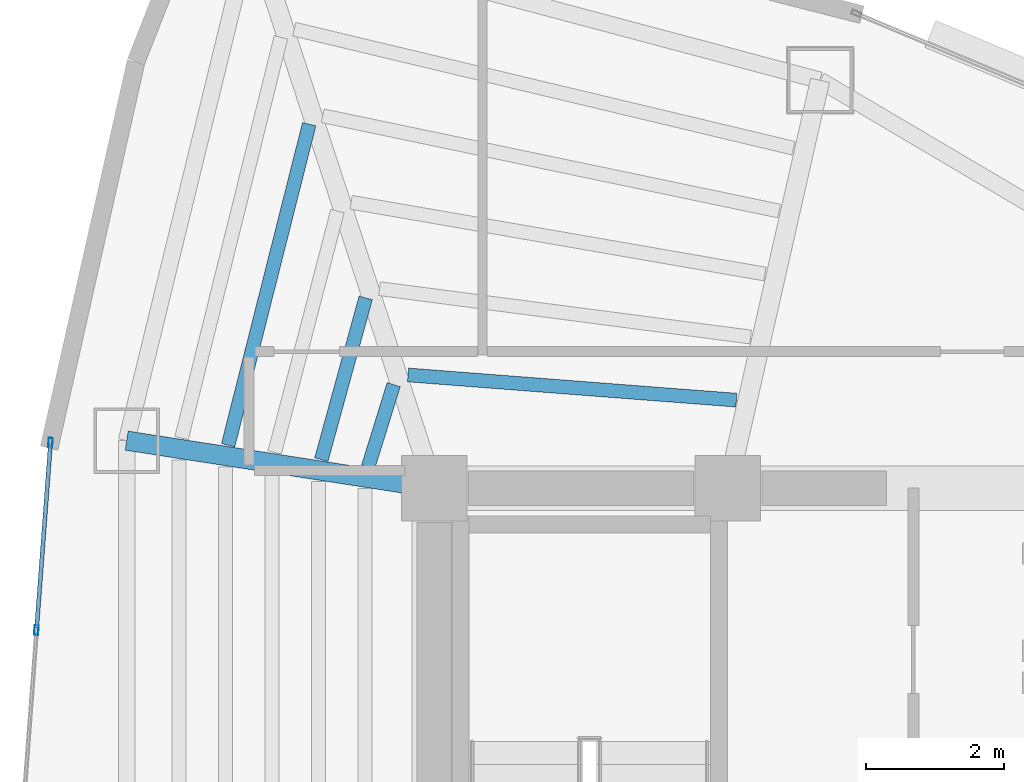
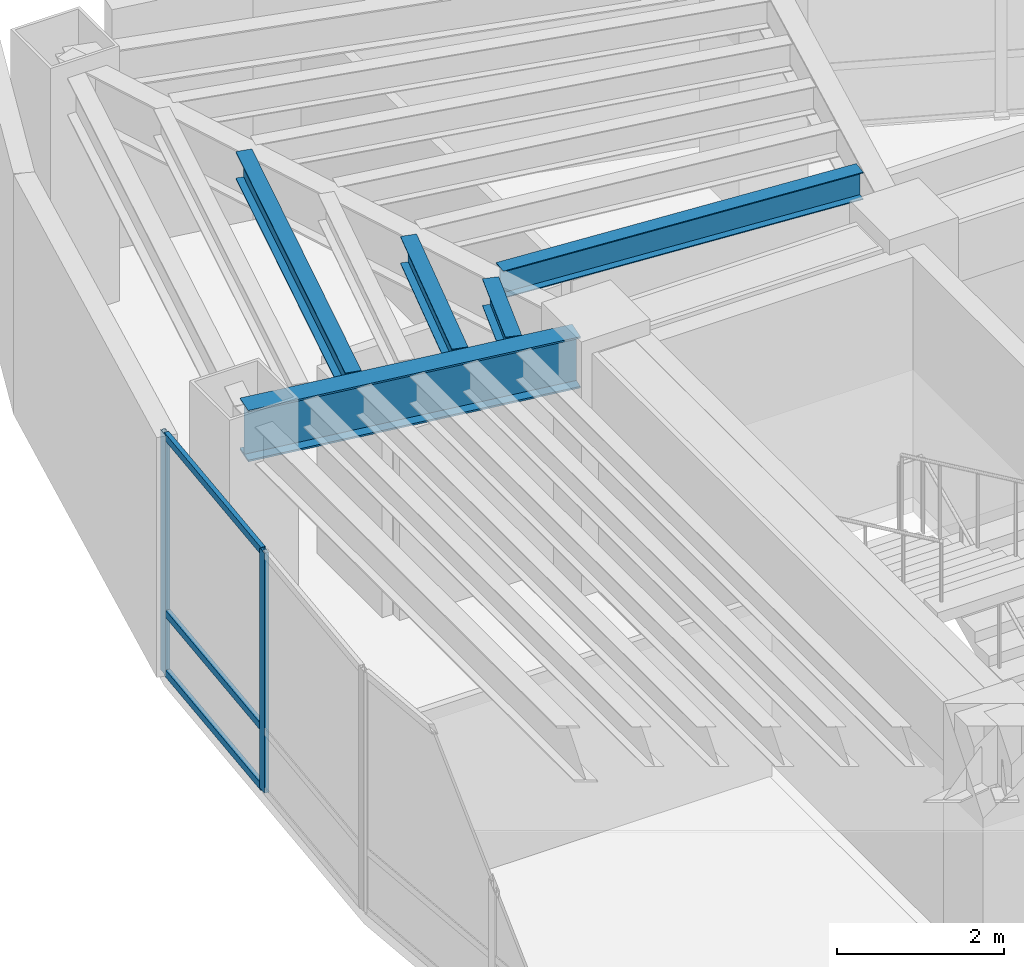
# One storey, part 7 of 15: 5 beams, 5 members, 1 element without a shape of its own.
"""IFC4 building model written with IfcOpenShell, lengths in metres."""

from ifc_helpers import new_model, si_unit, direction, frame, origin, origin_2d, place, context, subcontext, project, spatial, hollow_rectangle, i_section, extrude, material, layer, layer_set, material_profile, profile_set, type_object, element, aggregate, save


model = new_model("IFC4")

# Units and contexts
model_context = context("Model", 3, precision=1e-05, world=origin(), true_north=direction((0.0, 1.0)))
body_context = subcontext(model_context, "Body", "Model", "MODEL_VIEW")
ifc_project = project(units=[si_unit("LENGTHUNIT", "METRE"), si_unit("AREAUNIT", "SQUARE_METRE"), si_unit("VOLUMEUNIT", "CUBIC_METRE"), si_unit("PLANEANGLEUNIT", "RADIAN"), si_unit("MASSUNIT", "GRAM", prefix="KILO")], contexts=[model_context])

# Site, building, storey
site_placement = place(None, origin())
site = spatial("IfcSite", under=ifc_project, at=site_placement, CompositionType="ELEMENT")
building_placement = place(site_placement, origin())
building = spatial("IfcBuilding", under=site, at=building_placement, Name="Menara Vayukalpa", CompositionType="ELEMENT")
storey_placement = place(building_placement, frame((0.0, 0.0, 187.800048828125)))
storey = spatial("IfcBuildingStorey", under=building, at=storey_placement, Name="L47", CompositionType="ELEMENT", Elevation=187.800048828125)

# Beams
ifc_material_1 = material(Name="Steel S355", Category="steel")
ifc_material_profile_1 = material_profile(ifc_material_1, i_section(OverallWidth=0.280029296875, OverallDepth=0.75, WebThickness=0.013916015625, FlangeThickness=0.02490234375, at=origin_2d()), Name="WF 750x280x14x25")
ifc_profile_set_1 = profile_set([ifc_material_profile_1], Name="Steel S355")
beam_type_1 = type_object("IfcBeamType", Name="BM-PG4", PredefinedType="BEAM", material=ifc_profile_set_1)
beam_1_placement = place(storey_placement, frame((17.552978515625, 26.838134765625, 3.125), z_axis=(-0.988244781219, 0.152879862617, 0.0), x_axis=(-0.152879862617, -0.988244781219, 0.0)))
element("IfcBeam", 1, at=beam_1_placement, inside=storey, type_object=beam_type_1, Name="L47 Primary Radial Girder RG05", PredefinedType="BEAM", context=body_context, shape_type="SweptSolid", body=[
    extrude(i_section(OverallWidth=0.280029296875, OverallDepth=0.75, WebThickness=0.013916015625, FlangeThickness=0.02490234375, at=origin_2d()), origin(), (0.0, 0.0, 1.0), 4.259033203125),
])
ifc_material_2 = material(Name="Steel S355", Category="steel")
ifc_material_profile_2 = material_profile(ifc_material_2, i_section(OverallWidth=0.199951171875, OverallDepth=0.39990234375, WebThickness=0.008056640625, FlangeThickness=0.012939453125, at=origin_2d()), Name="WF 400x200x8x13")
ifc_profile_set_2 = profile_set([ifc_material_profile_2], Name="Steel S355")
beam_type_2 = type_object("IfcBeamType", Name="BM-SJ2", PredefinedType="JOIST", material=ifc_profile_set_2)
beam_2_placement = place(storey_placement, frame((22.177001953125, 28.07568359375, 3.300048828125), z_axis=(-0.997061705182, 0.076602585202, 0.0), x_axis=(-0.076602585202, -0.997061705182, 0.0)))
element("IfcBeam", 2, at=beam_2_placement, inside=storey, type_object=beam_type_2, Name="L47 Secondary Floor Joist SJ03-1", PredefinedType="JOIST", context=body_context, shape_type="SweptSolid", body=[
    extrude(i_section(OverallWidth=0.199951171875, OverallDepth=0.39990234375, WebThickness=0.008056640625, FlangeThickness=0.012939453125, at=origin_2d()), origin(), (0.0, 0.0, 1.0), 4.77099609375),
])
beam_3_placement = place(storey_placement, frame((17.212890625, 28.300537109375, 3.300048828125), z_axis=(-0.296448419226, -0.955048865105, 0.0), x_axis=(0.955048865105, -0.296448419226, 0.0)))
element("IfcBeam", 3, at=beam_3_placement, inside=storey, type_object=beam_type_2, Name="L47 Secondary Floor Joist SJ04-1", PredefinedType="JOIST", context=body_context, shape_type="SweptSolid", body=[
    extrude(i_section(OverallWidth=0.199951171875, OverallDepth=0.39990234375, WebThickness=0.008056640625, FlangeThickness=0.012939453125, at=origin_2d()), origin(), (0.0, 0.0, 1.0), 1.24853515625),
])
beam_4_placement = place(storey_placement, frame((16.80712890625, 29.5576171875, 3.300048828125), z_axis=(-0.264502665082, -0.964384954344, 0.0), x_axis=(0.964384954344, -0.264502665082, 0.0)))
element("IfcBeam", 4, at=beam_4_placement, inside=storey, type_object=beam_type_2, Name="L47 Secondary Floor Joist SJ04-2", PredefinedType="JOIST", context=body_context, shape_type="SweptSolid", body=[
    extrude(i_section(OverallWidth=0.199951171875, OverallDepth=0.39990234375, WebThickness=0.008056640625, FlangeThickness=0.012939453125, at=origin_2d()), origin(), (0.0, 0.0, 1.0), 2.430419921875),
])
beam_5_placement = place(storey_placement, frame((15.988525390625, 32.073486328125, 3.300048828125), z_axis=(-0.24483447751, -0.969564891393, 0.0), x_axis=(0.969564891393, -0.24483447751, 0.0)))
element("IfcBeam", 5, at=beam_5_placement, inside=storey, type_object=beam_type_2, Name="L47 Secondary Floor Joist SJ04-4", PredefinedType="JOIST", context=body_context, shape_type="SweptSolid", body=[
    extrude(i_section(OverallWidth=0.199951171875, OverallDepth=0.39990234375, WebThickness=0.008056640625, FlangeThickness=0.012939453125, at=origin_2d()), origin(), (0.0, 0.0, 1.0), 4.79638671875),
])

# Curtain wall, members
ifc_material_3 = material(Name="Anodised Terracotta Aluminium Alloy 6063-T6", Category="masonry")
ifc_layer = layer(ifc_material_3, 0.139892578125)
ifc_layer_set = layer_set([ifc_layer], Name="Anodised Terracotta Aluminium Alloy 6063-T6")
curtain_wall_type = type_object("IfcCurtainWallType", Name="CW-CW5", PredefinedType="USERDEFINED", material=ifc_layer_set)
curtain_wall_placement = place(storey_placement, origin())
curtain_wall = element("IfcCurtainWall", 6, at=curtain_wall_placement, inside=storey, type_object=curtain_wall_type, Name="L47 High Rise Tapered Curtain Wall CW5 10", ObjectType="UNITISED", PredefinedType="USERDEFINED")
ifc_material_4 = material(Name="Anodised Terracotta Aluminium Alloy 6063-T6", Category="masonry")
ifc_material_profile_3 = material_profile(ifc_material_4, hollow_rectangle(XDim=0.06005859375, YDim=0.139892578125, WallThickness=0.00341796875, at=origin_2d()), Name="ALU 60x140x3.5")
ifc_profile_set_3 = profile_set([ifc_material_profile_3], Name="Anodised Terracotta Aluminium Alloy 6063-T6")
member_type_1 = type_object("IfcMemberType", Name="CWM-CW5", PredefinedType="MULLION", material=ifc_profile_set_3)
member_1_placement = place(storey_placement, frame((12.24169921875, 27.459228515625, 0.0), z_axis=(0.0, 0.0, 1.0), x_axis=(0.9971991744, -0.074791754736, 0.0)))
member_1 = element("IfcMember", 7, at=member_1_placement, type_object=member_type_1, Name="CW5 mullion 1", PredefinedType="MULLION", context=body_context, shape_type="SweptSolid", body=[
    extrude(hollow_rectangle(XDim=0.06005859375, YDim=0.139892578125, WallThickness=0.00341796875, at=origin_2d()), origin(), (0.0, 0.0, 1.0), 3.5),
])
member_2_placement = place(storey_placement, frame((12.0380859375, 24.74462890625, 0.0), z_axis=(0.0, 0.0, 1.0), x_axis=(0.9971991744, -0.074791754736, 0.0)))
member_2 = element("IfcMember", 8, at=member_2_placement, type_object=member_type_1, Name="CW5 mullion 2", PredefinedType="MULLION", context=body_context, shape_type="SweptSolid", body=[
    extrude(hollow_rectangle(XDim=0.06005859375, YDim=0.139892578125, WallThickness=0.00341796875, at=origin_2d()), origin(), (0.0, 0.0, 1.0), 3.5),
])
ifc_material_5 = material(Name="Anodised Terracotta Aluminium Alloy 6063-T6", Category="masonry")
ifc_material_profile_4 = material_profile(ifc_material_5, hollow_rectangle(XDim=0.06005859375, YDim=0.10498046875, WallThickness=0.0029296875, at=origin_2d()), Name="ALU 60x105x3")
ifc_profile_set_4 = profile_set([ifc_material_profile_4], Name="Anodised Terracotta Aluminium Alloy 6063-T6")
member_type_2 = type_object("IfcMemberType", Name="CWT-CW5", PredefinedType="USERDEFINED", material=ifc_profile_set_4)
member_3_placement = place(storey_placement, frame((12.239501953125, 27.429443359375, 0.030029296875), z_axis=(-0.074824141952, -0.997196744771, 0.0), x_axis=(0.997196744771, -0.074824141952, 0.0)))
member_3 = element("IfcMember", 9, at=member_3_placement, type_object=member_type_2, Name="CW5 transom 1.1", ObjectType="TRANSOM", PredefinedType="USERDEFINED", context=body_context, shape_type="SweptSolid", body=[
    extrude(hollow_rectangle(XDim=0.06005859375, YDim=0.10498046875, WallThickness=0.0029296875, at=origin_2d()), origin(), (0.0, 0.0, 1.0), 2.66259765625),
])
member_4_placement = place(storey_placement, frame((12.239501953125, 27.429443359375, 0.89990234375), z_axis=(-0.074824141952, -0.997196744771, 0.0), x_axis=(0.997196744771, -0.074824141952, 0.0)))
member_4 = element("IfcMember", 10, at=member_4_placement, type_object=member_type_2, Name="CW5 transom 1.2", ObjectType="TRANSOM", PredefinedType="USERDEFINED", context=body_context, shape_type="SweptSolid", body=[
    extrude(hollow_rectangle(XDim=0.06005859375, YDim=0.10498046875, WallThickness=0.0029296875, at=origin_2d()), origin(), (0.0, 0.0, 1.0), 2.66259765625),
])
member_5_placement = place(storey_placement, frame((12.239501953125, 27.429443359375, 3.469970703125), z_axis=(-0.074824141952, -0.997196744771, 0.0), x_axis=(0.997196744771, -0.074824141952, 0.0)))
member_5 = element("IfcMember", 11, at=member_5_placement, type_object=member_type_2, Name="CW5 transom 1.3", ObjectType="TRANSOM", PredefinedType="USERDEFINED", context=body_context, shape_type="SweptSolid", body=[
    extrude(hollow_rectangle(XDim=0.06005859375, YDim=0.10498046875, WallThickness=0.0029296875, at=origin_2d()), origin(), (0.0, 0.0, 1.0), 2.66259765625),
])
aggregate(curtain_wall, [member_1, member_2, member_3, member_4, member_5])

save(model, "model.ifc")
